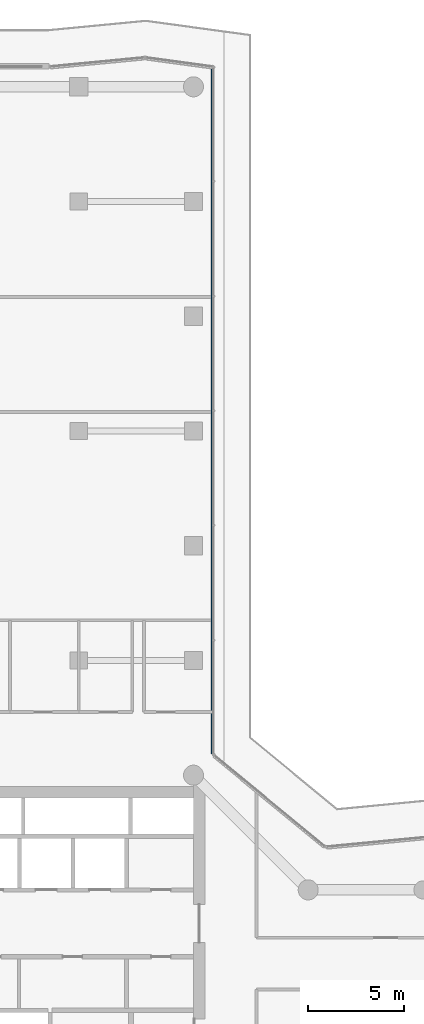
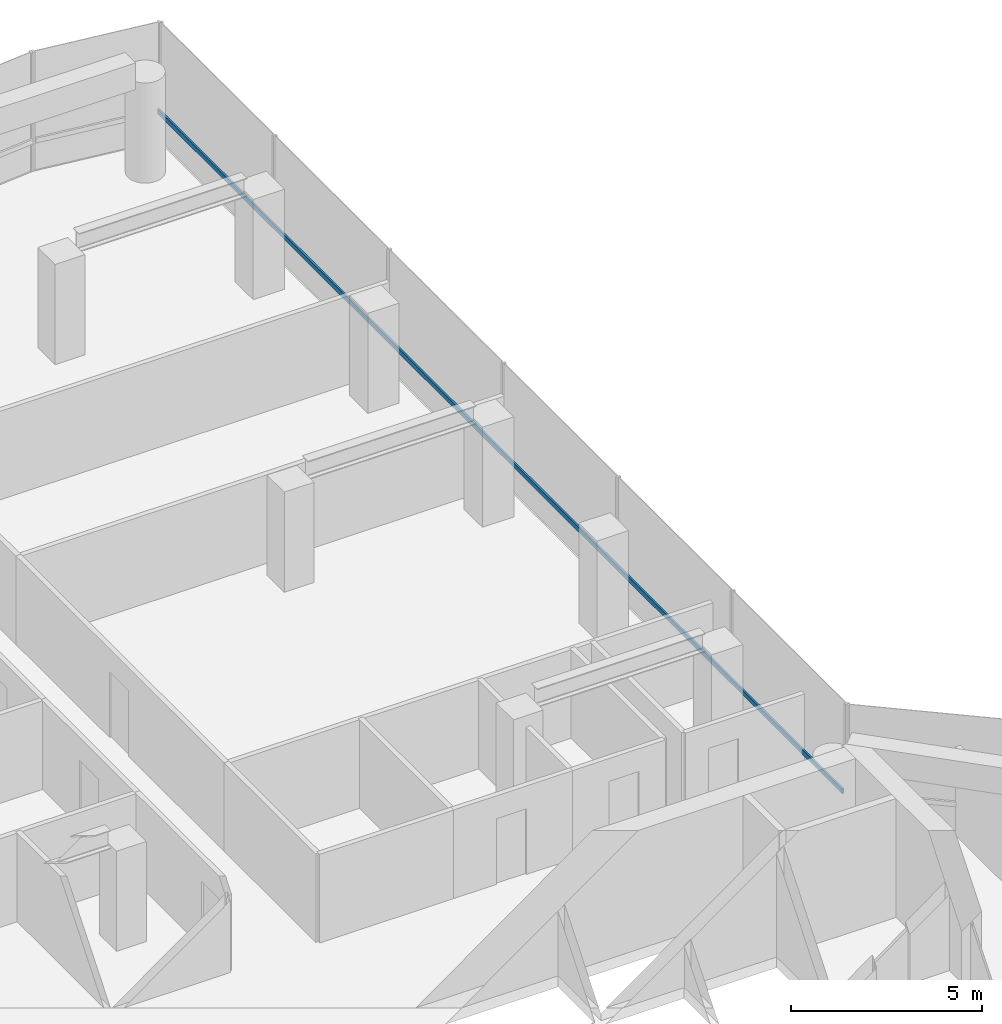
# One storey, part 14 of 22: 1 member, 1 element without a shape of its own.
"""IFC4 building model written with IfcOpenShell, lengths in metres."""

from ifc_helpers import new_model, si_unit, direction, frame, origin, origin_2d, place, context, subcontext, project, spatial, rectangle, extrude, material, layer, layer_set, material_profile, profile_set, type_object, element, aggregate, save


model = new_model("IFC4")

# Units and contexts
model_context = context("Model", 3, precision=1e-05, world=origin(), true_north=direction((0.0, 1.0)))
body_context = subcontext(model_context, "Body", "Model", "MODEL_VIEW")
ifc_project = project(units=[si_unit("LENGTHUNIT", "METRE"), si_unit("AREAUNIT", "SQUARE_METRE"), si_unit("VOLUMEUNIT", "CUBIC_METRE"), si_unit("PLANEANGLEUNIT", "RADIAN"), si_unit("MASSUNIT", "GRAM", prefix="KILO")], contexts=[model_context])

# Site, building, storey
site_placement = place(None, origin())
site = spatial("IfcSite", under=ifc_project, at=site_placement, CompositionType="ELEMENT")
building_placement = place(site_placement, origin())
building = spatial("IfcBuilding", under=site, at=building_placement, Name="Welwitschia Terrace Campus", CompositionType="ELEMENT")
storey_placement = place(building_placement, frame((0.0, 0.0, 192.800048828125)))
storey = spatial("IfcBuildingStorey", under=building, at=storey_placement, Name="L43", CompositionType="ELEMENT", Elevation=192.800048828125)

# Curtain wall, member
ifc_material_1 = material(Name="Bronze anodised aluminium", Category="aluminium")
ifc_layer = layer(ifc_material_1, 0.1201171875)
ifc_layer_set = layer_set([ifc_layer], Name="Bronze anodised aluminium")
curtain_wall_type = type_object("IfcCurtainWallType", Name="Curtain wall CW2 tower 6000", PredefinedType="NOTDEFINED", material=ifc_layer_set)
curtain_wall_placement = place(storey_placement, origin())
curtain_wall = element("IfcCurtainWall", 1, at=curtain_wall_placement, inside=storey, type_object=curtain_wall_type, Name="CW L43.10.0", PredefinedType="NOTDEFINED")
ifc_material_2 = material(Name="Bronze anodised aluminium", Category="aluminium")
ifc_material_profile = material_profile(ifc_material_2, rectangle(XDim=0.06005859375, YDim=0.14990234375, at=origin_2d()))
ifc_profile_set = profile_set([ifc_material_profile], Name="Bronze anodised aluminium")
member_type = type_object("IfcMemberType", Name="Transom 60x150", PredefinedType="USERDEFINED", material=ifc_profile_set)
member_placement = place(storey_placement, frame((24.968017578125, 27.129150390625, 1.0), z_axis=(0.0, 1.0, 0.0), x_axis=(-1.0, 0.0, 0.0)))
member = element("IfcMember", 2, at=member_placement, type_object=member_type, Name="Transom L43.10.0", ObjectType="TRANSOM", PredefinedType="USERDEFINED", context=body_context, shape_type="SweptSolid", body=[
    extrude(rectangle(XDim=0.06005859375, YDim=0.14990234375, at=origin_2d()), origin(), (0.0, 0.0, 1.0), 35.861572265625),
])
aggregate(curtain_wall, [member])

save(model, "model.ifc")
